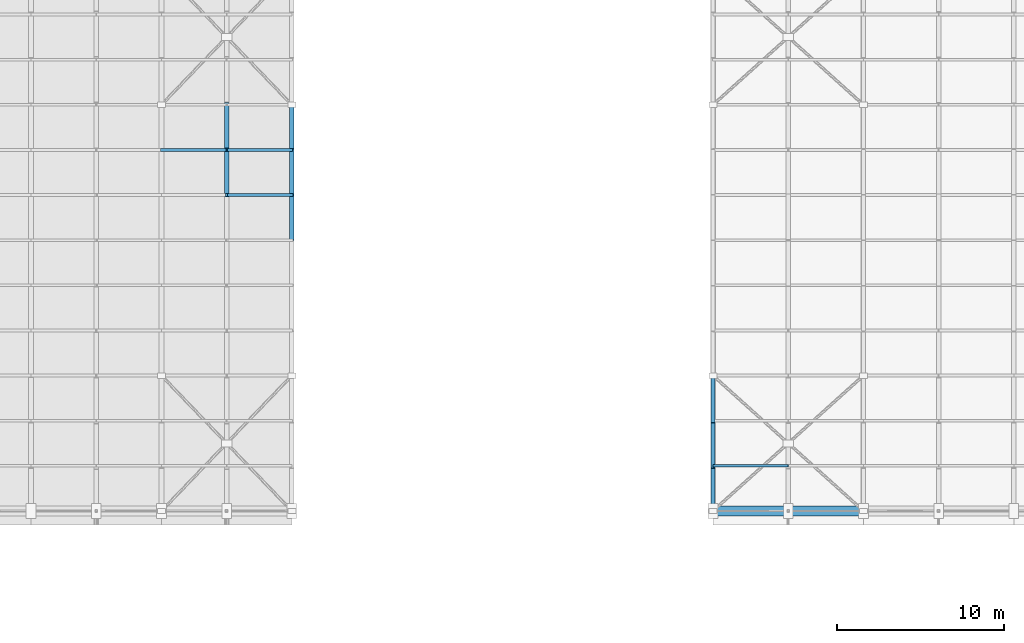
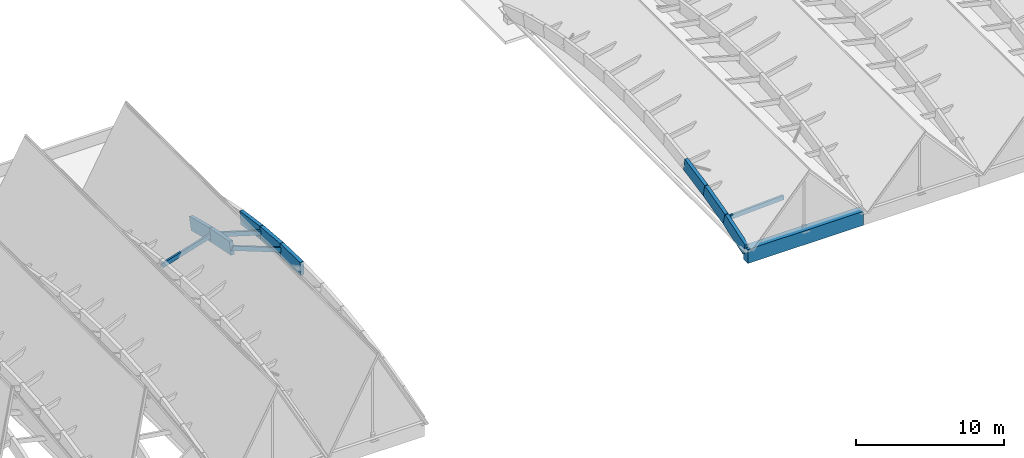
# One storey, part 11 of 39: 12 members, 1 beam.
"""IFC4 building model written with IfcOpenShell, lengths in metres."""

from ifc_helpers import new_model, si_unit, direction, frame, origin, origin_2d, place, context, subcontext, project, spatial, rectangle, extrude, material, material_profile, profile_set, type_object, element, save


model = new_model("IFC4")

# Units and contexts
model_context = context("Model", 3, precision=1e-05, world=origin(), true_north=direction((0.0, 1.0)))
body_context = subcontext(model_context, "Body", "Model", "MODEL_VIEW")
ifc_project = project(units=[si_unit("LENGTHUNIT", "METRE"), si_unit("AREAUNIT", "SQUARE_METRE"), si_unit("VOLUMEUNIT", "CUBIC_METRE"), si_unit("PLANEANGLEUNIT", "RADIAN"), si_unit("MASSUNIT", "GRAM", prefix="KILO")], contexts=[model_context])

# Site, building, storey
site_placement = place(None, origin())
site = spatial("IfcSite", under=ifc_project, at=site_placement, CompositionType="ELEMENT")
building_placement = place(site_placement, origin())
building = spatial("IfcBuilding", under=site, at=building_placement, Name="Tizgana Railside Sports Hall", CompositionType="ELEMENT")
storey_placement = place(building_placement, frame((0.0, 0.0, 23.699951171875)))
storey = spatial("IfcBuildingStorey", under=building, at=storey_placement, Name="RF", CompositionType="ELEMENT", Elevation=23.699951171875)

# Beam
ifc_material_1 = material(Name="Concrete C40/50", Category="concrete")
ifc_material_profile_1 = material_profile(ifc_material_1, rectangle(XDim=0.60009765625, YDim=1.14990234375, at=origin_2d()), Name="RCB 600x1150")
ifc_profile_set_1 = profile_set([ifc_material_profile_1], Name="Concrete C40/50")
beam_type = type_object("IfcBeamType", Name="Concrete Beam RCB 600x1150", PredefinedType="BEAM", material=ifc_profile_set_1)
beam_placement = place(storey_placement, frame((79.800048828125, 40.800048828125, -3.27490234375), z_axis=(1.0, 0.0, 0.0), x_axis=(0.0, 1.0, 0.0)))
element("IfcBeam", 1, at=beam_placement, inside=storey, type_object=beam_type, Name="RF BEM-1223", PredefinedType="BEAM", context=body_context, shape_type="SweptSolid", body=[
    extrude(rectangle(XDim=0.60009765625, YDim=1.14990234375, at=origin_2d()), origin(), (0.0, 0.0, 1.0), 9.0),
])

# Members
ifc_material_2 = material(Name="Glulam GL32h", Category="wood")
ifc_material_profile_2 = material_profile(ifc_material_2, rectangle(XDim=0.260009765625, YDim=0.97998046875, at=origin_2d()), Name="GL 260x980")
ifc_profile_set_2 = profile_set([ifc_material_profile_2], Name="Glulam GL32h")
member_type_1 = type_object("IfcMemberType", Name="Glulam Arch Segment GL 260x980", PredefinedType="USERDEFINED", material=ifc_profile_set_2)
member_1_placement = place(storey_placement, frame((79.800048828125, 40.800048828125, -2.849853515625), z_axis=(0.0, 0.950912040346, 0.30946129245), x_axis=(-1.0, 0.0, 0.0)))
element("IfcMember", 2, at=member_1_placement, inside=storey, type_object=member_type_1, Name="RF V2 Arch Chord MEM-0406", ObjectType="ARCH_SEGMENT", PredefinedType="USERDEFINED", context=body_context, shape_type="SweptSolid", body=[
    extrude(rectangle(XDim=0.260009765625, YDim=0.97998046875, at=origin_2d()), origin(), (0.0, 0.0, 1.0), 2.83935546875),
])
member_2_placement = place(storey_placement, frame((79.800048828125, 43.5, -1.97119140625), z_axis=(0.0, 0.96740233444, 0.253244394448), x_axis=(-1.0, 0.0, 0.0)))
element("IfcMember", 3, at=member_2_placement, inside=storey, type_object=member_type_1, Name="RF V2 Arch Chord MEM-0407", ObjectType="ARCH_SEGMENT", PredefinedType="USERDEFINED", context=body_context, shape_type="SweptSolid", body=[
    extrude(rectangle(XDim=0.260009765625, YDim=0.97998046875, at=origin_2d()), origin(), (0.0, 0.0, 1.0), 2.791015625),
])
member_3_placement = place(storey_placement, frame((79.800048828125, 46.199951171875, -1.264404296875), z_axis=(0.0, 0.980406395207, 0.196985533064), x_axis=(-1.0, 0.0, 0.0)))
element("IfcMember", 4, at=member_3_placement, inside=storey, type_object=member_type_1, Name="RF V2 Arch Chord MEM-0408", ObjectType="ARCH_SEGMENT", PredefinedType="USERDEFINED", context=body_context, shape_type="SweptSolid", body=[
    extrude(rectangle(XDim=0.260009765625, YDim=0.97998046875, at=origin_2d()), origin(), (0.0, 0.0, 1.0), 2.75390625),
])
ifc_material_profile_3 = material_profile(ifc_material_2, rectangle(XDim=0.280029296875, YDim=1.050048828125, at=origin_2d()), Name="GL 280x1050")
ifc_profile_set_3 = profile_set([ifc_material_profile_3], Name="Glulam GL32h")
member_type_2 = type_object("IfcMemberType", Name="Glulam Arch Segment GL 280x1050", PredefinedType="USERDEFINED", material=ifc_profile_set_3)
member_4_placement = place(storey_placement, frame((50.699951171875, 59.699951171875, -4.009521484375), z_axis=(0.0, 0.981354466381, -0.192206689048), x_axis=(-1.0, 0.0, 0.0)))
element("IfcMember", 5, at=member_4_placement, inside=storey, type_object=member_type_2, Name="RF V1 Arch Chord MEM-0200", ObjectType="ARCH_SEGMENT", PredefinedType="USERDEFINED", context=body_context, shape_type="SweptSolid", body=[
    extrude(rectangle(XDim=0.280029296875, YDim=1.050048828125, at=origin_2d()), origin(), (0.0, 0.0, 1.0), 2.751220703125),
])
member_5_placement = place(storey_placement, frame((50.699951171875, 62.39990234375, -4.538330078125), z_axis=(0.0, 0.969416374533, -0.24542186697), x_axis=(-1.0, 0.0, 0.0)))
element("IfcMember", 6, at=member_5_placement, inside=storey, type_object=member_type_2, Name="RF V1 Arch Chord MEM-0201", ObjectType="ARCH_SEGMENT", PredefinedType="USERDEFINED", context=body_context, shape_type="SweptSolid", body=[
    extrude(rectangle(XDim=0.280029296875, YDim=1.050048828125, at=origin_2d()), origin(), (0.0, 0.0, 1.0), 2.785400390625),
])
member_6_placement = place(storey_placement, frame((54.60009765625, 57.0, -5.43359375), z_axis=(0.0, 0.999604813986, -0.028110778294), x_axis=(-1.0, 0.0, 0.0)))
element("IfcMember", 7, at=member_6_placement, inside=storey, type_object=member_type_2, Name="RF V1 Arch Chord MEM-0212", ObjectType="ARCH_SEGMENT", PredefinedType="USERDEFINED", context=body_context, shape_type="SweptSolid", body=[
    extrude(rectangle(XDim=0.280029296875, YDim=1.050048828125, at=origin_2d()), origin(), (0.0, 0.0, 1.0), 2.700927734375),
])
member_7_placement = place(storey_placement, frame((54.60009765625, 59.699951171875, -5.509521484375), z_axis=(0.0, 0.996429846681, -0.084424881666), x_axis=(-1.0, 0.0, 0.0)))
element("IfcMember", 8, at=member_7_placement, inside=storey, type_object=member_type_2, Name="RF V1 Arch Chord MEM-0213", ObjectType="ARCH_SEGMENT", PredefinedType="USERDEFINED", context=body_context, shape_type="SweptSolid", body=[
    extrude(rectangle(XDim=0.280029296875, YDim=1.050048828125, at=origin_2d()), origin(), (0.0, 0.0, 1.0), 2.709716796875),
])
member_8_placement = place(storey_placement, frame((54.60009765625, 62.39990234375, -5.73828125), z_axis=(0.0, 0.990049503072, -0.140719513456), x_axis=(-1.0, 0.0, 0.0)))
element("IfcMember", 9, at=member_8_placement, inside=storey, type_object=member_type_2, Name="RF V1 Arch Chord MEM-0214", ObjectType="ARCH_SEGMENT", PredefinedType="USERDEFINED", context=body_context, shape_type="SweptSolid", body=[
    extrude(rectangle(XDim=0.280029296875, YDim=1.050048828125, at=origin_2d()), origin(), (0.0, 0.0, 1.0), 2.727294921875),
])
ifc_material_3 = material(Name="Glulam GL28h", Category="wood")
ifc_material_profile_4 = material_profile(ifc_material_3, rectangle(XDim=0.159912109375, YDim=0.360107421875, at=origin_2d()), Name="GL 160x360")
ifc_profile_set_4 = profile_set([ifc_material_profile_4], Name="Glulam GL28h")
member_type_3 = type_object("IfcMemberType", Name="Glulam Roof Purlin GL 160x360", PredefinedType="PURLIN", material=ifc_profile_set_4)
member_9_placement = place(storey_placement, frame((50.699951171875, 59.699951171875, -4.009521484375), z_axis=(0.933350123578, 0.0, -0.358967333913), x_axis=(0.0, 1.0, 0.0)))
element("IfcMember", 10, at=member_9_placement, inside=storey, type_object=member_type_3, Name="RF V1 Purlin MEM-0390", PredefinedType="PURLIN", context=body_context, shape_type="SweptSolid", body=[
    extrude(rectangle(XDim=0.159912109375, YDim=0.360107421875, at=origin_2d()), origin(), (0.0, 0.0, 1.0), 4.1787109375),
])
member_10_placement = place(storey_placement, frame((46.800048828125, 62.39990234375, -5.73828125), z_axis=(0.95578030241, 0.0, 0.294081644319), x_axis=(0.0, 1.0, 0.0)))
element("IfcMember", 11, at=member_10_placement, inside=storey, type_object=member_type_3, Name="RF V1 Purlin MEM-0391", PredefinedType="PURLIN", context=body_context, shape_type="SweptSolid", body=[
    extrude(rectangle(XDim=0.159912109375, YDim=0.360107421875, at=origin_2d()), origin(), (0.0, 0.0, 1.0), 4.080322265625),
])
member_11_placement = place(storey_placement, frame((50.699951171875, 62.39990234375, -4.538330078125), z_axis=(0.955785476607, 0.0, -0.294064827388), x_axis=(0.0, 1.0, 0.0)))
element("IfcMember", 12, at=member_11_placement, inside=storey, type_object=member_type_3, Name="RF V1 Purlin MEM-0392", PredefinedType="PURLIN", context=body_context, shape_type="SweptSolid", body=[
    extrude(rectangle(XDim=0.159912109375, YDim=0.360107421875, at=origin_2d()), origin(), (0.0, 0.0, 1.0), 4.08056640625),
])
member_12_placement = place(storey_placement, frame((79.800048828125, 43.5, -1.97119140625), z_axis=(0.998885359561, 0.0, 0.047202102223), x_axis=(0.0, 1.0, 0.0)))
element("IfcMember", 13, at=member_12_placement, inside=storey, type_object=member_type_3, Name="RF V2 Purlin MEM-0577", PredefinedType="PURLIN", context=body_context, shape_type="SweptSolid", body=[
    extrude(rectangle(XDim=0.159912109375, YDim=0.360107421875, at=origin_2d()), origin(), (0.0, 0.0, 1.0), 4.505126953125),
])

save(model, "model.ifc")
